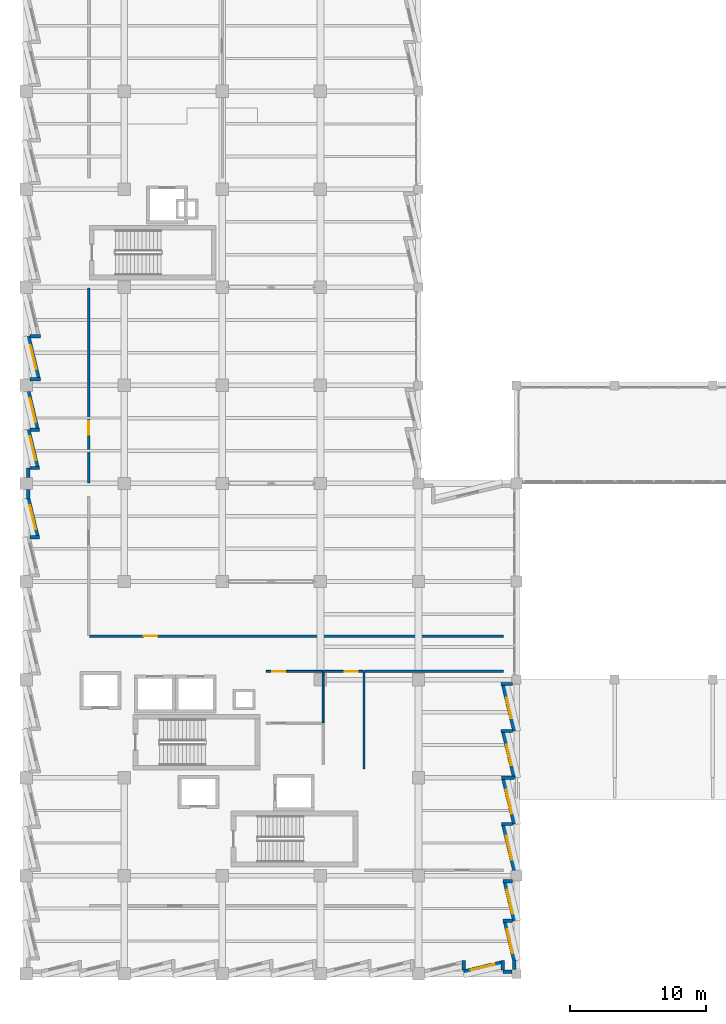
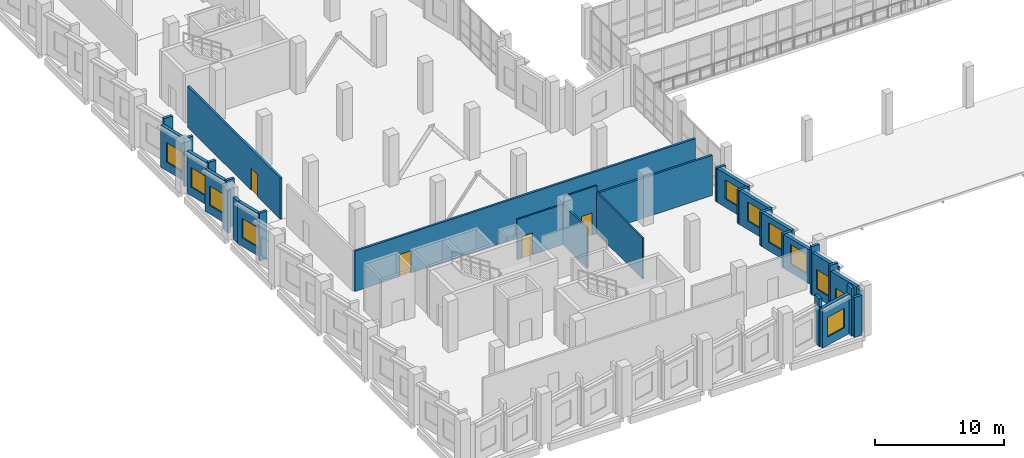
# One storey, part 93 of 127: 35 walls, 11 windows, 4 doors, 15 openings.
"""IFC4 building model written with IfcOpenShell, lengths in metres."""

import ifcopenshell
import ifcopenshell.guid

model = None  # the IFC model being written
_history = None  # IfcOwnerHistory: only IFC2X3 demands one
_inside = {}  # id of a spatial element -> (the spatial element, [elements in it])
_under = {}  # id of a project, library or spatial element -> (it, [spatial elements below it])
_declared = {}  # id of a project -> (the project, [libraries it declares])
_typed = {}  # id of a type object -> (the type object, [elements of that type])
_made_of = {}  # id of a material, layer set ... -> (it, [elements and type objects made of it])


def new_model(schema):
    """Start an empty IFC model of exactly this schema.

    Asked for "IFC4X3", IfcOpenShell would pick the latest addendum, in which some entities
    have other attributes; the version numbers below select the first issue.
    IFC2X3 requires an IfcOwnerHistory on every rooted entity: one is made here for all.
    """
    global model, _history
    if schema == "IFC4X3":
        model = ifcopenshell.file(schema_version=(4, 3, 0, 0))
    else:
        model = ifcopenshell.file(schema=schema)
    _inside.clear()
    _under.clear()
    _declared.clear()
    _typed.clear()
    _made_of.clear()
    _history = None
    if model.schema == "IFC2X3":
        org = make("IfcOrganization", Name="unknown")
        user = make(
            "IfcPersonAndOrganization",
            ThePerson=make("IfcPerson", FamilyName="unknown"),
            TheOrganization=org,
        )
        app = make(
            "IfcApplication",
            ApplicationDeveloper=org,
            Version="unknown",
            ApplicationFullName="unknown",
            ApplicationIdentifier="unknown",
        )
        _history = make(
            "IfcOwnerHistory",
            OwningUser=user,
            OwningApplication=app,
            ChangeAction="ADDED",
            CreationDate=0,
        )
    return model


def make(cls, **values):
    """One entity of the class cls with the attributes given. An attribute that is None is left unset."""
    return model.create_entity(
        cls, **{name: value for name, value in values.items() if value is not None}
    )


def rooted(cls, **values):
    """An entity with a GlobalId (a new one), such as an element, a storey or a relation."""
    return make(cls, GlobalId=ifcopenshell.guid.new(), OwnerHistory=_history, **values)


def si_unit(unit_type, name, prefix=None):
    """IfcSIUnit, for example si_unit("LENGTHUNIT", "METRE", prefix="MILLI")."""
    return make("IfcSIUnit", UnitType=unit_type, Prefix=prefix, Name=name)


def assignment(units):
    """IfcUnitAssignment: the units of a project."""
    return None if units is None else make("IfcUnitAssignment", Units=units)


def point(xyz):
    """IfcCartesianPoint."""
    return None if xyz is None else make("IfcCartesianPoint", Coordinates=xyz)


def direction(xyz):
    """IfcDirection."""
    return None if xyz is None else make("IfcDirection", DirectionRatios=xyz)


def frame(location, z_axis=None, x_axis=None):
    """IfcAxis2Placement3D, a coordinate frame: its origin and axes. An axis left out is left unset."""
    return make(
        "IfcAxis2Placement3D",
        Location=point(location),
        Axis=direction(z_axis),
        RefDirection=direction(x_axis),
    )


def frame_2d(location, x_axis=None):
    """IfcAxis2Placement2D, a coordinate frame in the plane: its origin and x axis."""
    return make(
        "IfcAxis2Placement2D", Location=point(location), RefDirection=direction(x_axis)
    )


def origin():
    """The frame at (0, 0, 0) with its axes left unset."""
    return frame((0.0, 0.0, 0.0))


def place(relative_to, where):
    """IfcLocalPlacement: puts the frame where relative to a parent placement (None: the world)."""
    return make(
        "IfcLocalPlacement", PlacementRelTo=relative_to, RelativePlacement=where
    )


def context(
    kind, dimensions, precision=None, world=None, true_north=None, identifier=None
):
    """IfcGeometricRepresentationContext, for example the 3D "Model" context."""
    return make(
        "IfcGeometricRepresentationContext",
        ContextIdentifier=identifier,
        ContextType=kind,
        CoordinateSpaceDimension=dimensions,
        Precision=precision,
        WorldCoordinateSystem=world,
        TrueNorth=true_north,
    )


def subcontext(parent, identifier, kind, view, scale=None):
    """IfcGeometricRepresentationSubContext, for example "Body" below "Model"."""
    return make(
        "IfcGeometricRepresentationSubContext",
        ContextIdentifier=identifier,
        ContextType=kind,
        ParentContext=parent,
        TargetScale=scale,
        TargetView=view,
    )


def project(units=None, contexts=None):
    """IfcProject with its units and contexts."""
    return rooted(
        "IfcProject",
        Name="project",
        RepresentationContexts=contexts,
        UnitsInContext=assignment(units),
    )


def spatial(cls, under=None, at=None, **own):
    """A site, building, storey or space (cls), placed at a placement, below another one or the project."""
    s = rooted(cls, ObjectPlacement=at, **own)
    if under is not None:
        _under.setdefault(under.id(), (under, []))[1].append(s)
    return s


def profile(cls, at=None, kind="AREA", **sizes):
    """A parametric profile (cls). Its sizes go by their IFC names, for example OverallWidth=200.0."""
    return make(cls, ProfileType=kind, Position=at, **sizes)


def rectangle(**sizes):
    """IfcRectangleProfileDef."""
    return profile("IfcRectangleProfileDef", **sizes)


def extrude(swept, where, along, depth):
    """IfcExtrudedAreaSolid: the profile swept, set in the frame where, extruded along a direction by depth."""
    return make(
        "IfcExtrudedAreaSolid",
        SweptArea=swept,
        Position=where,
        ExtrudedDirection=direction(along),
        Depth=depth,
    )


def shape(context_of_items, identifier, shape_type, items):
    """IfcShapeRepresentation: the items that make up one representation, for example the "Body"."""
    return make(
        "IfcShapeRepresentation",
        ContextOfItems=context_of_items,
        RepresentationIdentifier=identifier,
        RepresentationType=shape_type,
        Items=items,
    )


def material(Name=None, Category=None):
    """IfcMaterial."""
    return make("IfcMaterial", Name=Name, Category=Category)


def layer(
    of_material, thickness, ventilated=None, Name=None, Category=None, Priority=None
):
    """IfcMaterialLayer: one layer of a wall or slab, of a material (None: an air gap)."""
    return make(
        "IfcMaterialLayer",
        Material=of_material,
        LayerThickness=thickness,
        IsVentilated=ventilated,
        Name=Name,
        Category=Category,
        Priority=Priority,
    )


def layer_set(layers, Name=None):
    """IfcMaterialLayerSet."""
    return make("IfcMaterialLayerSet", MaterialLayers=layers, LayerSetName=Name)


def made_of(thing, what):
    """Note that an element or type object is made of a material, layer set ...; save() writes the relation."""
    if what is not None:
        _made_of.setdefault(what.id(), (what, []))[1].append(thing)
    return thing


def type_object(cls, material=None, **own):
    """A type object (cls), such as IfcWallType, which elements share."""
    return made_of(rooted(cls, **own), material)


def element(
    cls,
    number,
    at=None,
    inside=None,
    cuts=None,
    type_object=None,
    material=None,
    context=None,
    identifier="Body",
    shape_type=None,
    held_by="IfcProductDefinitionShape",
    body=None,
    shapes=None,
    **own,
):
    """One element of the class cls, such as IfcWall. Its Tag is "e" and its number.

    at: its placement. inside: the storey or other place that contains it. cuts: it is an
    opening in that element (IfcRelVoidsElement). A single representation is given by context,
    identifier, shape_type and body (its items); several are given by shapes. held_by: the class
    of the entity that holds the representations. save() writes the other relations.
    """
    e = rooted(cls, Tag="e%d" % number, ObjectPlacement=at, **own)
    if body is not None:
        shapes = [shape(context, identifier, shape_type, body)]
    if shapes is not None:
        e.Representation = make(held_by, Representations=shapes)
    if inside is not None:
        _inside.setdefault(inside.id(), (inside, []))[1].append(e)
    if cuts is not None:
        rooted(
            "IfcRelVoidsElement", RelatingBuildingElement=cuts, RelatedOpeningElement=e
        )
    if type_object is not None:
        _typed.setdefault(type_object.id(), (type_object, []))[1].append(e)
    return made_of(e, material)


def fill(opening, filler):
    """IfcRelFillsElement: the door or window that sits in an opening."""
    return rooted(
        "IfcRelFillsElement",
        RelatingOpeningElement=opening,
        RelatedBuildingElement=filler,
    )


def aggregate(whole, parts):
    """IfcRelAggregates: a whole, such as a stair, and the parts it consists of."""
    return rooted("IfcRelAggregates", RelatingObject=whole, RelatedObjects=parts)


def save(model, path):
    """Write the relations noted so far, then the file.

    IfcRelAggregates (storeys below a building ...), IfcRelContainedInSpatialStructure (elements
    in a storey), IfcRelDefinesByType, IfcRelAssociatesMaterial and IfcRelDeclares: one each for
    every whole, place, type object, material and project.
    """
    for whole, parts in _under.values():
        aggregate(whole, parts)
    for where, things in _inside.values():
        rooted(
            "IfcRelContainedInSpatialStructure",
            RelatedElements=things,
            RelatingStructure=where,
        )
    for kind, things in _typed.values():
        rooted("IfcRelDefinesByType", RelatedObjects=things, RelatingType=kind)
    for what, things in _made_of.values():
        rooted("IfcRelAssociatesMaterial", RelatedObjects=things, RelatingMaterial=what)
    for by, libraries in _declared.values():
        rooted("IfcRelDeclares", RelatingContext=by, RelatedDefinitions=libraries)
    model.write(path)


model = new_model("IFC4")

# Units and contexts
model_context = context("Model", 3, precision=1e-05, world=origin(), true_north=direction((0.0, 1.0)))
body_context = subcontext(model_context, "Body", "Model", "MODEL_VIEW")
ifc_project = project(units=[si_unit("LENGTHUNIT", "METRE"), si_unit("AREAUNIT", "SQUARE_METRE"), si_unit("VOLUMEUNIT", "CUBIC_METRE"), si_unit("PLANEANGLEUNIT", "RADIAN"), si_unit("MASSUNIT", "GRAM", prefix="KILO")], contexts=[model_context])

# Site, building, storey
site_placement = place(None, origin())
site = spatial("IfcSite", under=ifc_project, at=site_placement, CompositionType="ELEMENT")
building_placement = place(site_placement, origin())
building = spatial("IfcBuilding", under=site, at=building_placement, Name="Kalmorath City Hall", CompositionType="ELEMENT")
storey_placement = place(building_placement, frame((0.0, 0.0, 5.39990234375)))
storey = spatial("IfcBuildingStorey", under=building, at=storey_placement, Name="L01", CompositionType="ELEMENT", Elevation=5.39990234375)

# Wall, opening, door
ifc_material_1 = material(Name="Fire-rated acoustic gypsum partition")
ifc_layer_1 = layer(ifc_material_1, 0.179931640625)
ifc_layer_set_1 = layer_set([ifc_layer_1], Name="Fire-rated acoustic gypsum partition")
wall_type_1 = type_object("IfcWallType", Name="One-hour corridor fire partition 180", PredefinedType="PARTITIONING", material=ifc_layer_set_1)
wall_1_placement = place(storey_placement, frame((4.60009765625, 36.0400390625, 0.0), z_axis=(0.0, 0.0, 1.0), x_axis=(0.0, 1.0, 0.0)))
wall_1 = element("IfcWall", 1, at=wall_1_placement, inside=storey, type_object=wall_type_1, Name="L01 interior partition PW2 #68", PredefinedType="PARTITIONING", context=body_context, shape_type="SweptSolid", body=[
    extrude(rectangle(XDim=14.320068359375, YDim=0.179931640625, at=frame_2d((7.16015625, 0.0))), origin(), (0.0, 0.0, 1.0), 3.88916015625),
])
opening_1_placement = place(wall_1_placement, frame((3.5400390625, 0.0, 0.0)))
opening_1 = element("IfcOpeningElement", 2, at=opening_1_placement, cuts=wall_1, Name="Opening D-L01-173", PredefinedType="OPENING", context=body_context, shape_type="SweptSolid", body=[
    extrude(rectangle(XDim=1.0, YDim=2.10009765625, at=frame_2d((0.5, 1.050048828125))), frame((0.0, 0.099853515625, 0.0), z_axis=(0.0, -1.0, 0.0), x_axis=(1.0, 0.0, 0.0)), (0.0, 0.0, 1.0), 0.199951171875),
])
ifc_material_2 = material(Name="Hardwood fire door", Category="wood")
door_type_1 = type_object("IfcDoorType", Name="Corridor 60-min fire door 1000x2100", OperationType="NOTDEFINED", PredefinedType="DOOR", material=ifc_material_2)
door_1_placement = place(opening_1_placement, origin())
door_1 = element("IfcDoor", 3, at=door_1_placement, inside=storey, type_object=door_type_1, Name="L01 door D-L01-173", OperationType="SINGLE_SWING_LEFT", OverallHeight=2.10009765625, OverallWidth=1.0, PredefinedType="DOOR", context=body_context, shape_type="SweptSolid", body=[
    extrude(rectangle(XDim=1.0, YDim=2.10009765625, at=frame_2d((0.5, 1.050048828125))), frame((0.0, 0.02490234375, 0.0), z_axis=(0.0, -1.0, 0.0), x_axis=(1.0, 0.0, 0.0)), (0.0, 0.0, 1.0), 0.050048828125),
])
fill(opening_1, door_1)

# Wall
wall_2_placement = place(storey_placement, frame((24.840087890625, 22.199951171875, 0.0), z_axis=(0.0, 0.0, 1.0), x_axis=(1.0, 0.0, 0.0)))
element("IfcWall", 4, at=wall_2_placement, inside=storey, type_object=wall_type_1, Name="L01 interior partition PW2 #71", PredefinedType="PARTITIONING", context=body_context, shape_type="SweptSolid", body=[
    extrude(rectangle(XDim=10.219970703125, YDim=0.179931640625, at=frame_2d((5.10986328125, 0.0))), origin(), (0.0, 0.0, 1.0), 3.801025390625),
])

# Wall, opening, door
wall_3_placement = place(storey_placement, frame((4.639892578125, 24.800048828125, 0.0), z_axis=(0.0, 0.0, 1.0), x_axis=(1.0, 0.0, 0.0)))
wall_3 = element("IfcWall", 5, at=wall_3_placement, inside=storey, type_object=wall_type_1, Name="L01 interior partition PW2 #72", PredefinedType="PARTITIONING", context=body_context, shape_type="SweptSolid", body=[
    extrude(rectangle(XDim=30.420166015625, YDim=0.179931640625, at=frame_2d((15.2099609375, 0.0))), origin(), (0.0, 0.0, 1.0), 3.801025390625),
])
opening_2_placement = place(wall_3_placement, frame((3.992431640625, 0.0, 0.0)))
opening_2 = element("IfcOpeningElement", 6, at=opening_2_placement, cuts=wall_3, Name="Opening D-L01-171", PredefinedType="OPENING", context=body_context, shape_type="SweptSolid", body=[
    extrude(rectangle(XDim=1.0, YDim=2.10009765625, at=frame_2d((0.5, 1.050048828125))), frame((0.0, 0.099853515625, 0.0), z_axis=(0.0, -1.0, 0.0), x_axis=(1.0, 0.0, 0.0)), (0.0, 0.0, 1.0), 0.199951171875),
])
door_2_placement = place(opening_2_placement, origin())
door_2 = element("IfcDoor", 7, at=door_2_placement, inside=storey, type_object=door_type_1, Name="L01 door D-L01-171", OperationType="SINGLE_SWING_LEFT", OverallHeight=2.10009765625, OverallWidth=1.0, PredefinedType="DOOR", context=body_context, shape_type="SweptSolid", body=[
    extrude(rectangle(XDim=1.0, YDim=2.10009765625, at=frame_2d((0.5, 1.050048828125))), frame((0.0, 0.02490234375, 0.0), z_axis=(0.0, -1.0, 0.0), x_axis=(1.0, 0.0, 0.0)), (0.0, 0.0, 1.0), 0.050048828125),
])
fill(opening_2, door_2)

# Walls
ifc_material_3 = material(Name="Precast concrete C40/50", Category="concrete")
ifc_layer_2 = layer(ifc_material_3, 0.239990234375)
ifc_layer_set_2 = layer_set([ifc_layer_2], Name="Precast concrete C40/50")
wall_type_2 = type_object("IfcWallType", Name="Precast sawtooth cheek wall 240", PredefinedType="SOLIDWALL", material=ifc_layer_set_2)
wall_4_placement = place(storey_placement, frame((0.9794921875, 32.06005859375, 0.0), z_axis=(0.0, 0.0, 1.0), x_axis=(-1.0, 0.0, 0.0)))
element("IfcWall", 8, at=wall_4_placement, inside=storey, type_object=wall_type_2, Name="L01 sawtooth return cheek #184", PredefinedType="SOLIDWALL", context=body_context, shape_type="SweptSolid", body=[
    extrude(rectangle(XDim=0.6875, YDim=0.239990234375, at=frame_2d((0.34375, 0.0))), origin(), (0.0, 0.0, 1.0), 4.52001953125),
])
wall_5_placement = place(storey_placement, frame((0.9794921875, 37.131103515625, 0.0), z_axis=(0.0, 0.0, 1.0), x_axis=(-1.0, 0.0, 0.0)))
element("IfcWall", 9, at=wall_5_placement, inside=storey, type_object=wall_type_2, Name="L01 sawtooth return cheek #187", PredefinedType="SOLIDWALL", context=body_context, shape_type="SweptSolid", body=[
    extrude(rectangle(XDim=0.697509765625, YDim=0.239990234375, at=frame_2d((0.3486328125, 0.0))), origin(), (0.0, 0.0, 1.0), 4.52001953125),
])
wall_6_placement = place(storey_placement, frame((0.9794921875, 39.93994140625, 0.0), z_axis=(0.0, 0.0, 1.0), x_axis=(-1.0, 0.0, 0.0)))
element("IfcWall", 10, at=wall_6_placement, inside=storey, type_object=wall_type_2, Name="L01 sawtooth return cheek #189", PredefinedType="SOLIDWALL", context=body_context, shape_type="SweptSolid", body=[
    extrude(rectangle(XDim=0.6875, YDim=0.239990234375, at=frame_2d((0.34375, 0.0))), origin(), (0.0, 0.0, 1.0), 4.52001953125),
])
for number, where, z_axis, x_axis, name in (
    (11, (1.06103515625, 43.65087890625, 0.0), (0.0, 0.0, 1.0), (-1.0, 0.0, 0.0), "L01 sawtooth return cheek #191"),
    (12, (1.06103515625, 46.800048828125, 0.0), (0.0, 0.0, 1.0), (-1.0, 0.0, 0.0), "L01 sawtooth return cheek #193"),
):
    element("IfcWall", number, at=place(storey_placement, frame(where, z_axis=z_axis, x_axis=x_axis)), inside=storey, type_object=wall_type_2, Name=name, PredefinedType="SOLIDWALL", context=body_context, shape_type="SweptSolid", body=[
        extrude(rectangle(XDim=0.76904296875, YDim=0.239990234375, at=frame_2d((0.384521484375, 0.0))), origin(), (0.0, 0.0, 1.0), 4.52001953125),
    ])
for number, where, z_axis, x_axis, name in (
    (13, (34.869873046875, 21.27392578125, 0.0), (0.0, 0.0, 1.0), (1.0, 0.0, 0.0), "L01 sawtooth return cheek #287"),
    (14, (34.869873046875, 17.8369140625, 0.0), (0.0, 0.0, 1.0), (1.0, 0.0, 0.0), "L01 sawtooth return cheek #289"),
):
    element("IfcWall", number, at=place(storey_placement, frame(where, z_axis=z_axis, x_axis=x_axis)), inside=storey, type_object=wall_type_2, Name=name, PredefinedType="SOLIDWALL", context=body_context, shape_type="SweptSolid", body=[
        extrude(rectangle(XDim=0.838134765625, YDim=0.239990234375, at=frame_2d((0.4189453125, 0.0))), origin(), (0.0, 0.0, 1.0), 3.201171875),
    ])
wall_7_placement = place(storey_placement, frame((34.87890625, 14.39990234375, 0.0), z_axis=(0.0, 0.0, 1.0), x_axis=(1.0, 0.0, 0.0)))
element("IfcWall", 15, at=wall_7_placement, inside=storey, type_object=wall_type_2, Name="L01 sawtooth return cheek #291", PredefinedType="SOLIDWALL", context=body_context, shape_type="SweptSolid", body=[
    extrude(rectangle(XDim=0.97119140625, YDim=0.239990234375, at=frame_2d((0.485595703125, 0.0))), origin(), (0.0, 0.0, 1.0), 3.201171875),
])
wall_8_placement = place(storey_placement, frame((34.87890625, 11.00048828125, 0.0), z_axis=(0.0, 0.0, 1.0), x_axis=(1.0, 0.0, 0.0)))
element("IfcWall", 16, at=wall_8_placement, inside=storey, type_object=wall_type_2, Name="L01 sawtooth return cheek #293", PredefinedType="SOLIDWALL", context=body_context, shape_type="SweptSolid", body=[
    extrude(rectangle(XDim=0.8291015625, YDim=0.239990234375, at=frame_2d((0.41455078125, 0.0))), origin(), (0.0, 0.0, 1.0), 3.201171875),
])
for number, where, z_axis, x_axis, name in (
    (17, (34.99951171875, 6.799072265625, 0.0), (0.0, 0.0, 1.0), (1.0, 0.0, 0.0), "L01 sawtooth return cheek #296"),
    (18, (34.99951171875, 3.902587890625, 0.0), (0.0, 0.0, 1.0), (1.0, 0.0, 0.0), "L01 sawtooth return cheek #298"),
):
    element("IfcWall", number, at=place(storey_placement, frame(where, z_axis=z_axis, x_axis=x_axis)), inside=storey, type_object=wall_type_2, Name=name, PredefinedType="SOLIDWALL", context=body_context, shape_type="SweptSolid", body=[
        extrude(rectangle(XDim=0.70849609375, YDim=0.239990234375, at=frame_2d((0.354248046875, 0.0))), origin(), (0.0, 0.0, 1.0), 4.52001953125),
    ])
wall_9_placement = place(storey_placement, frame((34.993896484375, 0.994384765625, 0.0), z_axis=(0.0, 0.0, 1.0), x_axis=(0.0, -1.0, 0.0)))
element("IfcWall", 19, at=wall_9_placement, inside=storey, type_object=wall_type_2, Name="L01 sawtooth return cheek #301", PredefinedType="SOLIDWALL", context=body_context, shape_type="SweptSolid", body=[
    extrude(rectangle(XDim=0.71240234375, YDim=0.239990234375, at=frame_2d((0.356201171875, 0.0))), origin(), (0.0, 0.0, 1.0), 4.52001953125),
])
wall_10_placement = place(storey_placement, frame((32.12255859375, 0.994384765625, 0.0), z_axis=(0.0, 0.0, 1.0), x_axis=(0.0, -1.0, 0.0)))
element("IfcWall", 20, at=wall_10_placement, inside=storey, type_object=wall_type_2, Name="L01 sawtooth return cheek #303", PredefinedType="SOLIDWALL", context=body_context, shape_type="SweptSolid", body=[
    extrude(rectangle(XDim=0.702392578125, YDim=0.239990234375, at=frame_2d((0.35107421875, 0.0))), origin(), (0.0, 0.0, 1.0), 4.52001953125),
])

# Wall, opening, window
ifc_material_4 = material(Name="Precast concrete C40/50", Category="concrete")
ifc_layer_3 = layer(ifc_material_4, 0.280029296875)
ifc_layer_set_3 = layer_set([ifc_layer_3], Name="Precast concrete C40/50")
wall_type_3 = type_object("IfcWallType", Name="Precast sawtooth facade wall 280", PredefinedType="SOLIDWALL", material=ifc_layer_set_3)
wall_11_placement = place(storey_placement, frame((0.812255859375, 32.15234375, 0.0), z_axis=(0.0, 0.0, 1.0), x_axis=(-0.233498544812, 0.972357151242, 0.0)))
wall_11 = element("IfcWall", 21, at=wall_11_placement, inside=storey, type_object=wall_type_3, Name="L01 sawtooth precast frame #183", PredefinedType="SOLIDWALL", context=body_context, shape_type="SweptSolid", body=[
    extrude(rectangle(XDim=2.793701171875, YDim=0.280029296875, at=frame_2d((1.39697265625, 0.0))), origin(), (0.0, 0.0, 1.0), 3.97607421875),
])
opening_3_placement = place(wall_11_placement, frame((0.496826171875, 0.0, 0.800048828125)))
opening_3 = element("IfcOpeningElement", 22, at=opening_3_placement, cuts=wall_11, Name="Opening WN4", PredefinedType="OPENING", context=body_context, shape_type="SweptSolid", body=[
    extrude(rectangle(XDim=1.800048828125, YDim=1.85009765625, at=frame_2d((0.89990234375, 0.925048828125))), frame((0.0, 0.14990234375, 0.0), z_axis=(0.0, -1.0, 0.0), x_axis=(1.0, 0.0, 0.0)), (0.0, 0.0, 1.0), 0.300048828125),
])
ifc_material_5 = material(Name="Aluminium and laminated glass", Category="aluminium")
window_type_1 = type_object("IfcWindowType", Name="Sawtooth executive window 1800x1850", PartitioningType="SINGLE_PANEL", PredefinedType="WINDOW", material=ifc_material_5)
window_1_placement = place(opening_3_placement, origin())
window_1 = element("IfcWindow", 23, at=window_1_placement, inside=storey, type_object=window_type_1, Name="L01 window WN4-85", OverallHeight=1.85009765625, OverallWidth=1.800048828125, PartitioningType="SINGLE_PANEL", PredefinedType="WINDOW", context=body_context, shape_type="SweptSolid", body=[
    extrude(rectangle(XDim=1.800048828125, YDim=1.85009765625, at=frame_2d((0.89990234375, 0.925048828125))), frame((0.0, 0.030029296875, 0.0), z_axis=(0.0, -1.0, 0.0), x_axis=(1.0, 0.0, 0.0)), (0.0, 0.0, 1.0), 0.06005859375),
])
fill(opening_3, window_1)

wall_12_placement = place(storey_placement, frame((0.812255859375, 37.223388671875, 0.0), z_axis=(0.0, 0.0, 1.0), x_axis=(-0.233498544812, 0.972357151242, 0.0)))
wall_12 = element("IfcWall", 24, at=wall_12_placement, inside=storey, type_object=wall_type_3, Name="L01 sawtooth precast frame #186", PredefinedType="SOLIDWALL", context=body_context, shape_type="SweptSolid", body=[
    extrude(rectangle(XDim=2.793701171875, YDim=0.280029296875, at=frame_2d((1.39697265625, 0.0))), origin(), (0.0, 0.0, 1.0), 3.97607421875),
])
opening_4_placement = place(wall_12_placement, frame((0.496826171875, 0.0, 0.800048828125)))
opening_4 = element("IfcOpeningElement", 25, at=opening_4_placement, cuts=wall_12, Name="Opening WN4", PredefinedType="OPENING", context=body_context, shape_type="SweptSolid", body=[
    extrude(rectangle(XDim=1.800048828125, YDim=1.85009765625, at=frame_2d((0.89990234375, 0.925048828125))), frame((0.0, 0.14990234375, 0.0), z_axis=(0.0, -1.0, 0.0), x_axis=(1.0, 0.0, 0.0)), (0.0, 0.0, 1.0), 0.300048828125),
])
window_2_placement = place(opening_4_placement, origin())
window_2 = element("IfcWindow", 26, at=window_2_placement, inside=storey, type_object=window_type_1, Name="L01 window WN4-86", OverallHeight=1.85009765625, OverallWidth=1.800048828125, PartitioningType="SINGLE_PANEL", PredefinedType="WINDOW", context=body_context, shape_type="SweptSolid", body=[
    extrude(rectangle(XDim=1.800048828125, YDim=1.85009765625, at=frame_2d((0.89990234375, 0.925048828125))), frame((0.0, 0.030029296875, 0.0), z_axis=(0.0, -1.0, 0.0), x_axis=(1.0, 0.0, 0.0)), (0.0, 0.0, 1.0), 0.06005859375),
])
fill(opening_4, window_2)

wall_13_placement = place(storey_placement, frame((0.812255859375, 40.032470703125, 0.0), z_axis=(0.0, 0.0, 1.0), x_axis=(-0.233498544812, 0.972357151242, 0.0)))
wall_13 = element("IfcWall", 27, at=wall_13_placement, inside=storey, type_object=wall_type_3, Name="L01 sawtooth precast frame #188", PredefinedType="SOLIDWALL", context=body_context, shape_type="SweptSolid", body=[
    extrude(rectangle(XDim=2.793701171875, YDim=0.280029296875, at=frame_2d((1.39697265625, 0.0))), origin(), (0.0, 0.0, 1.0), 3.97607421875),
])
opening_5_placement = place(wall_13_placement, frame((0.496826171875, 0.0, 0.800048828125)))
opening_5 = element("IfcOpeningElement", 28, at=opening_5_placement, cuts=wall_13, Name="Opening WN4", PredefinedType="OPENING", context=body_context, shape_type="SweptSolid", body=[
    extrude(rectangle(XDim=1.800048828125, YDim=1.85009765625, at=frame_2d((0.89990234375, 0.925048828125))), frame((0.0, 0.14990234375, 0.0), z_axis=(0.0, -1.0, 0.0), x_axis=(1.0, 0.0, 0.0)), (0.0, 0.0, 1.0), 0.300048828125),
])
window_3_placement = place(opening_5_placement, origin())
window_3 = element("IfcWindow", 29, at=window_3_placement, inside=storey, type_object=window_type_1, Name="L01 window WN4-87", OverallHeight=1.85009765625, OverallWidth=1.800048828125, PartitioningType="SINGLE_PANEL", PredefinedType="WINDOW", context=body_context, shape_type="SweptSolid", body=[
    extrude(rectangle(XDim=1.800048828125, YDim=1.85009765625, at=frame_2d((0.89990234375, 0.925048828125))), frame((0.0, 0.030029296875, 0.0), z_axis=(0.0, -1.0, 0.0), x_axis=(1.0, 0.0, 0.0)), (0.0, 0.0, 1.0), 0.06005859375),
])
fill(opening_5, window_3)

wall_14_placement = place(storey_placement, frame((0.893798828125, 43.743408203125, 0.0), z_axis=(0.0, 0.0, 1.0), x_axis=(-0.233461073712, 0.972366148661, 0.0)))
wall_14 = element("IfcWall", 30, at=wall_14_placement, inside=storey, type_object=wall_type_3, Name="L01 sawtooth precast frame #190", PredefinedType="SOLIDWALL", context=body_context, shape_type="SweptSolid", body=[
    extrude(rectangle(XDim=3.1435546875, YDim=0.280029296875, at=frame_2d((1.57177734375, 0.0))), origin(), (0.0, 0.0, 1.0), 3.97607421875),
])
opening_6_placement = place(wall_14_placement, frame((0.671630859375, 0.0, 0.800048828125)))
opening_6 = element("IfcOpeningElement", 31, at=opening_6_placement, cuts=wall_14, Name="Opening WN4", PredefinedType="OPENING", context=body_context, shape_type="SweptSolid", body=[
    extrude(rectangle(XDim=1.800048828125, YDim=1.85009765625, at=frame_2d((0.89990234375, 0.925048828125))), frame((0.0, 0.14990234375, 0.0), z_axis=(0.0, -1.0, 0.0), x_axis=(1.0, 0.0, 0.0)), (0.0, 0.0, 1.0), 0.300048828125),
])
window_4_placement = place(opening_6_placement, origin())
window_4 = element("IfcWindow", 32, at=window_4_placement, inside=storey, type_object=window_type_1, Name="L01 window WN4-88", OverallHeight=1.85009765625, OverallWidth=1.800048828125, PartitioningType="SINGLE_PANEL", PredefinedType="WINDOW", context=body_context, shape_type="SweptSolid", body=[
    extrude(rectangle(XDim=1.800048828125, YDim=1.85009765625, at=frame_2d((0.89990234375, 0.925048828125))), frame((0.0, 0.030029296875, 0.0), z_axis=(0.0, -1.0, 0.0), x_axis=(1.0, 0.0, 0.0)), (0.0, 0.0, 1.0), 0.06005859375),
])
fill(opening_6, window_4)

wall_15_placement = place(storey_placement, frame((35.037109375, 21.181640625, 0.0), z_axis=(0.0, 0.0, 1.0), x_axis=(0.233440062358, -0.972371193159, 0.0)))
wall_15 = element("IfcWall", 33, at=wall_15_placement, inside=storey, type_object=wall_type_3, Name="L01 sawtooth precast frame #286", PredefinedType="SOLIDWALL", context=body_context, shape_type="SweptSolid", body=[
    extrude(rectangle(XDim=3.439697265625, YDim=0.280029296875, at=frame_2d((1.7197265625, 0.0))), origin(), (0.0, 0.0, 1.0), 3.201171875),
])
opening_7_placement = place(wall_15_placement, frame((0.94482421875, 0.0, 0.800048828125)))
opening_7 = element("IfcOpeningElement", 34, at=opening_7_placement, cuts=wall_15, Name="Opening WN5", PredefinedType="OPENING", context=body_context, shape_type="SweptSolid", body=[
    extrude(rectangle(XDim=1.550048828125, YDim=1.800048828125, at=frame_2d((0.77490234375, 0.89990234375))), frame((0.0, 0.14990234375, 0.0), z_axis=(0.0, -1.0, 0.0), x_axis=(1.0, 0.0, 0.0)), (0.0, 0.0, 1.0), 0.300048828125),
])
ifc_material_6 = material(Name="Aluminium and laminated glass", Category="aluminium")
window_type_2 = type_object("IfcWindowType", Name="Sawtooth corner bay window 1550x1800", PartitioningType="SINGLE_PANEL", PredefinedType="WINDOW", material=ifc_material_6)
window_5_placement = place(opening_7_placement, origin())
window_5 = element("IfcWindow", 35, at=window_5_placement, inside=storey, type_object=window_type_2, Name="L01 window WN5-137", OverallHeight=1.800048828125, OverallWidth=1.550048828125, PartitioningType="SINGLE_PANEL", PredefinedType="WINDOW", context=body_context, shape_type="SweptSolid", body=[
    extrude(rectangle(XDim=1.550048828125, YDim=1.800048828125, at=frame_2d((0.77490234375, 0.89990234375))), frame((0.0, 0.030029296875, 0.0), z_axis=(0.0, -1.0, 0.0), x_axis=(1.0, 0.0, 0.0)), (0.0, 0.0, 1.0), 0.06005859375),
])
fill(opening_7, window_5)

wall_16_placement = place(storey_placement, frame((35.037109375, 17.74462890625, 0.0), z_axis=(0.0, 0.0, 1.0), x_axis=(0.233440062358, -0.972371193159, 0.0)))
wall_16 = element("IfcWall", 36, at=wall_16_placement, inside=storey, type_object=wall_type_3, Name="L01 sawtooth precast frame #288", PredefinedType="SOLIDWALL", context=body_context, shape_type="SweptSolid", body=[
    extrude(rectangle(XDim=3.439697265625, YDim=0.280029296875, at=frame_2d((1.7197265625, 0.0))), origin(), (0.0, 0.0, 1.0), 3.201171875),
])
opening_8_placement = place(wall_16_placement, frame((0.94482421875, 0.0, 0.800048828125)))
opening_8 = element("IfcOpeningElement", 37, at=opening_8_placement, cuts=wall_16, Name="Opening WN5", PredefinedType="OPENING", context=body_context, shape_type="SweptSolid", body=[
    extrude(rectangle(XDim=1.550048828125, YDim=1.800048828125, at=frame_2d((0.77490234375, 0.89990234375))), frame((0.0, 0.14990234375, 0.0), z_axis=(0.0, -1.0, 0.0), x_axis=(1.0, 0.0, 0.0)), (0.0, 0.0, 1.0), 0.300048828125),
])
window_6_placement = place(opening_8_placement, origin())
window_6 = element("IfcWindow", 38, at=window_6_placement, inside=storey, type_object=window_type_2, Name="L01 window WN5-138", OverallHeight=1.800048828125, OverallWidth=1.550048828125, PartitioningType="SINGLE_PANEL", PredefinedType="WINDOW", context=body_context, shape_type="SweptSolid", body=[
    extrude(rectangle(XDim=1.550048828125, YDim=1.800048828125, at=frame_2d((0.77490234375, 0.89990234375))), frame((0.0, 0.030029296875, 0.0), z_axis=(0.0, -1.0, 0.0), x_axis=(1.0, 0.0, 0.0)), (0.0, 0.0, 1.0), 0.06005859375),
])
fill(opening_8, window_6)

wall_17_placement = place(storey_placement, frame((35.046142578125, 14.3076171875, 0.0), z_axis=(0.0, 0.0, 1.0), x_axis=(0.233438110442, -0.97237166176, 0.0)))
wall_17 = element("IfcWall", 39, at=wall_17_placement, inside=storey, type_object=wall_type_3, Name="L01 sawtooth precast frame #290", PredefinedType="SOLIDWALL", context=body_context, shape_type="SweptSolid", body=[
    extrude(rectangle(XDim=3.401123046875, YDim=0.280029296875, at=frame_2d((1.70068359375, 0.0))), origin(), (0.0, 0.0, 1.0), 3.201171875),
])
opening_9_placement = place(wall_17_placement, frame((0.800537109375, 0.0, 0.800048828125)))
opening_9 = element("IfcOpeningElement", 40, at=opening_9_placement, cuts=wall_17, Name="Opening WN4", PredefinedType="OPENING", context=body_context, shape_type="SweptSolid", body=[
    extrude(rectangle(XDim=1.800048828125, YDim=1.85009765625, at=frame_2d((0.89990234375, 0.925048828125))), frame((0.0, 0.14990234375, 0.0), z_axis=(0.0, -1.0, 0.0), x_axis=(1.0, 0.0, 0.0)), (0.0, 0.0, 1.0), 0.300048828125),
])
window_7_placement = place(opening_9_placement, origin())
window_7 = element("IfcWindow", 41, at=window_7_placement, inside=storey, type_object=window_type_1, Name="L01 window WN4-139", OverallHeight=1.85009765625, OverallWidth=1.800048828125, PartitioningType="SINGLE_PANEL", PredefinedType="WINDOW", context=body_context, shape_type="SweptSolid", body=[
    extrude(rectangle(XDim=1.800048828125, YDim=1.85009765625, at=frame_2d((0.89990234375, 0.925048828125))), frame((0.0, 0.030029296875, 0.0), z_axis=(0.0, -1.0, 0.0), x_axis=(1.0, 0.0, 0.0)), (0.0, 0.0, 1.0), 0.06005859375),
])
fill(opening_9, window_7)

wall_18_placement = place(storey_placement, frame((35.046142578125, 10.908203125, 0.0), z_axis=(0.0, 0.0, 1.0), x_axis=(0.233438110442, -0.97237166176, 0.0)))
wall_18 = element("IfcWall", 42, at=wall_18_placement, inside=storey, type_object=wall_type_3, Name="L01 sawtooth precast frame #292", PredefinedType="SOLIDWALL", context=body_context, shape_type="SweptSolid", body=[
    extrude(rectangle(XDim=3.401123046875, YDim=0.280029296875, at=frame_2d((1.70068359375, 0.0))), origin(), (0.0, 0.0, 1.0), 3.201171875),
])
opening_10_placement = place(wall_18_placement, frame((0.800537109375, 0.0, 0.800048828125)))
opening_10 = element("IfcOpeningElement", 43, at=opening_10_placement, cuts=wall_18, Name="Opening WN4", PredefinedType="OPENING", context=body_context, shape_type="SweptSolid", body=[
    extrude(rectangle(XDim=1.800048828125, YDim=1.85009765625, at=frame_2d((0.89990234375, 0.925048828125))), frame((0.0, 0.14990234375, 0.0), z_axis=(0.0, -1.0, 0.0), x_axis=(1.0, 0.0, 0.0)), (0.0, 0.0, 1.0), 0.300048828125),
])
window_8_placement = place(opening_10_placement, origin())
window_8 = element("IfcWindow", 44, at=window_8_placement, inside=storey, type_object=window_type_1, Name="L01 window WN4-140", OverallHeight=1.85009765625, OverallWidth=1.800048828125, PartitioningType="SINGLE_PANEL", PredefinedType="WINDOW", context=body_context, shape_type="SweptSolid", body=[
    extrude(rectangle(XDim=1.800048828125, YDim=1.85009765625, at=frame_2d((0.89990234375, 0.925048828125))), frame((0.0, 0.030029296875, 0.0), z_axis=(0.0, -1.0, 0.0), x_axis=(1.0, 0.0, 0.0)), (0.0, 0.0, 1.0), 0.06005859375),
])
fill(opening_10, window_8)

wall_19_placement = place(storey_placement, frame((35.166748046875, 6.70654296875, 0.0), z_axis=(0.0, 0.0, 1.0), x_axis=(0.233501033921, -0.972356553512, 0.0)))
wall_19 = element("IfcWall", 45, at=wall_19_placement, inside=storey, type_object=wall_type_3, Name="L01 sawtooth precast frame #295", PredefinedType="SOLIDWALL", context=body_context, shape_type="SweptSolid", body=[
    extrude(rectangle(XDim=2.8837890625, YDim=0.280029296875, at=frame_2d((1.44189453125, 0.0))), origin(), (0.0, 0.0, 1.0), 3.97607421875),
])
opening_11_placement = place(wall_19_placement, frame((0.5419921875, 0.0, 0.800048828125)))
opening_11 = element("IfcOpeningElement", 46, at=opening_11_placement, cuts=wall_19, Name="Opening WN4", PredefinedType="OPENING", context=body_context, shape_type="SweptSolid", body=[
    extrude(rectangle(XDim=1.800048828125, YDim=1.85009765625, at=frame_2d((0.89990234375, 0.925048828125))), frame((0.0, 0.14990234375, 0.0), z_axis=(0.0, -1.0, 0.0), x_axis=(1.0, 0.0, 0.0)), (0.0, 0.0, 1.0), 0.300048828125),
])
window_9_placement = place(opening_11_placement, origin())
window_9 = element("IfcWindow", 47, at=window_9_placement, inside=storey, type_object=window_type_1, Name="L01 window WN4-141", OverallHeight=1.85009765625, OverallWidth=1.800048828125, PartitioningType="SINGLE_PANEL", PredefinedType="WINDOW", context=body_context, shape_type="SweptSolid", body=[
    extrude(rectangle(XDim=1.800048828125, YDim=1.85009765625, at=frame_2d((0.89990234375, 0.925048828125))), frame((0.0, 0.030029296875, 0.0), z_axis=(0.0, -1.0, 0.0), x_axis=(1.0, 0.0, 0.0)), (0.0, 0.0, 1.0), 0.06005859375),
])
fill(opening_11, window_9)

wall_20_placement = place(storey_placement, frame((35.166748046875, 3.81005859375, 0.0), z_axis=(0.0, 0.0, 1.0), x_axis=(0.233501033921, -0.972356553512, 0.0)))
wall_20 = element("IfcWall", 48, at=wall_20_placement, inside=storey, type_object=wall_type_3, Name="L01 sawtooth precast frame #297", PredefinedType="SOLIDWALL", context=body_context, shape_type="SweptSolid", body=[
    extrude(rectangle(XDim=2.8837890625, YDim=0.280029296875, at=frame_2d((1.44189453125, 0.0))), origin(), (0.0, 0.0, 1.0), 3.97607421875),
])
opening_12_placement = place(wall_20_placement, frame((0.5419921875, 0.0, 0.800048828125)))
opening_12 = element("IfcOpeningElement", 49, at=opening_12_placement, cuts=wall_20, Name="Opening WN4", PredefinedType="OPENING", context=body_context, shape_type="SweptSolid", body=[
    extrude(rectangle(XDim=1.800048828125, YDim=1.85009765625, at=frame_2d((0.89990234375, 0.925048828125))), frame((0.0, 0.14990234375, 0.0), z_axis=(0.0, -1.0, 0.0), x_axis=(1.0, 0.0, 0.0)), (0.0, 0.0, 1.0), 0.300048828125),
])
window_10_placement = place(opening_12_placement, origin())
window_10 = element("IfcWindow", 50, at=window_10_placement, inside=storey, type_object=window_type_1, Name="L01 window WN4-142", OverallHeight=1.85009765625, OverallWidth=1.800048828125, PartitioningType="SINGLE_PANEL", PredefinedType="WINDOW", context=body_context, shape_type="SweptSolid", body=[
    extrude(rectangle(XDim=1.800048828125, YDim=1.85009765625, at=frame_2d((0.89990234375, 0.925048828125))), frame((0.0, 0.030029296875, 0.0), z_axis=(0.0, -1.0, 0.0), x_axis=(1.0, 0.0, 0.0)), (0.0, 0.0, 1.0), 0.06005859375),
])
fill(opening_12, window_10)

wall_21_placement = place(storey_placement, frame((34.901611328125, 0.8271484375, 0.0), z_axis=(0.0, 0.0, 1.0), x_axis=(-0.972366362403, -0.233460183471, 0.0)))
wall_21 = element("IfcWall", 51, at=wall_21_placement, inside=storey, type_object=wall_type_3, Name="L01 sawtooth precast frame #300", PredefinedType="SOLIDWALL", context=body_context, shape_type="SweptSolid", body=[
    extrude(rectangle(XDim=2.85791015625, YDim=0.280029296875, at=frame_2d((1.428955078125, 0.0))), origin(), (0.0, 0.0, 1.0), 3.7509765625),
])
opening_13_placement = place(wall_21_placement, frame((0.529052734375, 0.0, 0.800048828125)))
opening_13 = element("IfcOpeningElement", 52, at=opening_13_placement, cuts=wall_21, Name="Opening WN4", PredefinedType="OPENING", context=body_context, shape_type="SweptSolid", body=[
    extrude(rectangle(XDim=1.800048828125, YDim=1.85009765625, at=frame_2d((0.89990234375, 0.925048828125))), frame((0.0, 0.14990234375, 0.0), z_axis=(0.0, -1.0, 0.0), x_axis=(1.0, 0.0, 0.0)), (0.0, 0.0, 1.0), 0.300048828125),
])
window_11_placement = place(opening_13_placement, origin())
window_11 = element("IfcWindow", 53, at=window_11_placement, inside=storey, type_object=window_type_1, Name="L01 window WN4-143", OverallHeight=1.85009765625, OverallWidth=1.800048828125, PartitioningType="SINGLE_PANEL", PredefinedType="WINDOW", context=body_context, shape_type="SweptSolid", body=[
    extrude(rectangle(XDim=1.800048828125, YDim=1.85009765625, at=frame_2d((0.89990234375, 0.925048828125))), frame((0.0, 0.030029296875, 0.0), z_axis=(0.0, -1.0, 0.0), x_axis=(1.0, 0.0, 0.0)), (0.0, 0.0, 1.0), 0.06005859375),
])
fill(opening_13, window_11)

# Walls
ifc_material_7 = material(Name="Precast concrete C40/50", Category="concrete")
ifc_layer_4 = layer(ifc_material_7, 0.260009765625)
ifc_layer_set_4 = layer_set([ifc_layer_4], Name="Precast concrete C40/50")
wall_type_4 = type_object("IfcWallType", Name="Precast sawtooth return wall 260", PredefinedType="SOLIDWALL", material=ifc_layer_set_4)
for number, where, z_axis, x_axis, name in (
    (54, (0.159912109375, 34.868896484375, 0.0), (0.0, 0.0, 1.0), (0.0, 1.0, 0.0), "L01 corner pier wall #180"),
    (55, (0.159912109375, 36.450927734375, 0.0), (0.0, 0.0, 1.0), (0.0, 1.0, 0.0), "L01 corner pier wall #185"),
    (56, (35.840087890625, 1.006103515625, 0.0), (0.0, 0.0, 1.0), (0.0, -1.0, 0.0), "L01 corner pier wall #294"),
):
    element("IfcWall", number, at=place(storey_placement, frame(where, z_axis=z_axis, x_axis=x_axis)), inside=storey, type_object=wall_type_4, Name=name, PredefinedType="SOLIDWALL", context=body_context, shape_type="SweptSolid", body=[
        extrude(rectangle(XDim=0.68017578125, YDim=0.260009765625, at=frame_2d((0.340087890625, 0.0))), origin(), (0.0, 0.0, 1.0), 3.97607421875),
    ])
wall_22_placement = place(storey_placement, frame((35.674072265625, 0.159912109375, 0.0), z_axis=(0.0, 0.0, 1.0), x_axis=(-1.0, 0.0, 0.0)))
element("IfcWall", 57, at=wall_22_placement, inside=storey, type_object=wall_type_4, Name="L01 corner pier wall #299", PredefinedType="SOLIDWALL", context=body_context, shape_type="SweptSolid", body=[
    extrude(rectangle(XDim=0.68017578125, YDim=0.260009765625, at=frame_2d((0.340087890625, 0.0))), origin(), (0.0, 0.0, 1.0), 3.7509765625),
])

# Wall, opening, door
ifc_material_8 = material(Name="Moisture-resistant fire-rated partition")
ifc_layer_5 = layer(ifc_material_8, 0.139892578125)
ifc_layer_set_5 = layer_set([ifc_layer_5], Name="Moisture-resistant fire-rated partition")
wall_type_5 = type_object("IfcWallType", Name="Restroom wet-wall tile partition 140", PredefinedType="PARTITIONING", material=ifc_layer_set_5)
wall_23_placement = place(storey_placement, frame((17.639892578125, 22.199951171875, 0.0), z_axis=(0.0, 0.0, 1.0), x_axis=(1.0, 0.0, 0.0)))
wall_23 = element("IfcWall", 58, at=wall_23_placement, inside=storey, type_object=wall_type_5, Name="L01 interior partition PW5 #73", PredefinedType="PARTITIONING", context=body_context, shape_type="SweptSolid", body=[
    extrude(rectangle(XDim=4.1201171875, YDim=0.139892578125, at=frame_2d((2.06005859375, 0.0))), origin(), (0.0, 0.0, 1.0), 3.801025390625),
])
opening_14_placement = place(wall_23_placement, frame((0.419921875, 0.0, 0.0)))
opening_14 = element("IfcOpeningElement", 59, at=opening_14_placement, cuts=wall_23, Name="Opening D-L01-195", PredefinedType="OPENING", context=body_context, shape_type="SweptSolid", body=[
    extrude(rectangle(XDim=0.949951171875, YDim=2.080078125, at=frame_2d((0.47509765625, 1.0400390625))), frame((0.0, 0.079833984375, 0.0), z_axis=(0.0, -1.0, 0.0), x_axis=(1.0, 0.0, 0.0)), (0.0, 0.0, 1.0), 0.159912109375),
])
ifc_material_9 = material(Name="Laminate solid-core door")
door_type_2 = type_object("IfcDoorType", Name="Restroom accessible door 950x2080", OperationType="NOTDEFINED", PredefinedType="DOOR", material=ifc_material_9)
door_3_placement = place(opening_14_placement, origin())
door_3 = element("IfcDoor", 60, at=door_3_placement, inside=storey, type_object=door_type_2, Name="L01 door D-L01-195", OperationType="SINGLE_SWING_LEFT", OverallHeight=2.080078125, OverallWidth=0.949951171875, PredefinedType="DOOR", context=body_context, shape_type="SweptSolid", body=[
    extrude(rectangle(XDim=0.949951171875, YDim=2.080078125, at=frame_2d((0.47509765625, 1.0400390625))), frame((0.0, 0.02490234375, 0.0), z_axis=(0.0, -1.0, 0.0), x_axis=(1.0, 0.0, 0.0)), (0.0, 0.0, 1.0), 0.050048828125),
])
fill(opening_14, door_3)

wall_24_placement = place(storey_placement, frame((21.840087890625, 22.199951171875, 0.0), z_axis=(0.0, 0.0, 1.0), x_axis=(1.0, 0.0, 0.0)))
wall_24 = element("IfcWall", 61, at=wall_24_placement, inside=storey, type_object=wall_type_5, Name="L01 interior partition PW5 #74", PredefinedType="PARTITIONING", context=body_context, shape_type="SweptSolid", body=[
    extrude(rectangle(XDim=2.919921875, YDim=0.139892578125, at=frame_2d((1.4599609375, 0.0))), origin(), (0.0, 0.0, 1.0), 4.52001953125),
])
opening_15_placement = place(wall_24_placement, frame((1.550048828125, 0.0, 0.0)))
opening_15 = element("IfcOpeningElement", 62, at=opening_15_placement, cuts=wall_24, Name="Opening D-L01-196", PredefinedType="OPENING", context=body_context, shape_type="SweptSolid", body=[
    extrude(rectangle(XDim=0.949951171875, YDim=2.080078125, at=frame_2d((0.47509765625, 1.0400390625))), frame((0.0, 0.079833984375, 0.0), z_axis=(0.0, -1.0, 0.0), x_axis=(1.0, 0.0, 0.0)), (0.0, 0.0, 1.0), 0.159912109375),
])
door_4_placement = place(opening_15_placement, origin())
door_4 = element("IfcDoor", 63, at=door_4_placement, inside=storey, type_object=door_type_2, Name="L01 door D-L01-196", OperationType="SINGLE_SWING_RIGHT", OverallHeight=2.080078125, OverallWidth=0.949951171875, PredefinedType="DOOR", context=body_context, shape_type="SweptSolid", body=[
    extrude(rectangle(XDim=0.949951171875, YDim=2.080078125, at=frame_2d((0.47509765625, 1.0400390625))), frame((0.0, 0.02490234375, 0.0), z_axis=(0.0, -1.0, 0.0), x_axis=(1.0, 0.0, 0.0)), (0.0, 0.0, 1.0), 0.050048828125),
])
fill(opening_15, door_4)

# Walls
wall_25_placement = place(storey_placement, frame((24.800048828125, 15.0400390625, 0.0), z_axis=(0.0, 0.0, 1.0), x_axis=(0.0, 1.0, 0.0)))
element("IfcWall", 64, at=wall_25_placement, inside=storey, type_object=wall_type_5, Name="L01 interior partition PW5 #94", PredefinedType="PARTITIONING", context=body_context, shape_type="SweptSolid", body=[
    extrude(rectangle(XDim=7.119873046875, YDim=0.139892578125, at=frame_2d((3.56005859375, 0.0))), origin(), (0.0, 0.0, 1.0), 3.88916015625),
])
wall_26_placement = place(storey_placement, frame((21.800048828125, 18.43994140625, 0.0), z_axis=(0.0, 0.0, 1.0), x_axis=(0.0, 1.0, 0.0)))
element("IfcWall", 65, at=wall_26_placement, inside=storey, type_object=wall_type_5, Name="L01 interior partition PW5 #104", PredefinedType="PARTITIONING", context=body_context, shape_type="SweptSolid", body=[
    extrude(rectangle(XDim=3.719970703125, YDim=0.139892578125, at=frame_2d((1.85986328125, 0.0))), origin(), (0.0, 0.0, 1.0), 3.801025390625),
])

save(model, "model.ifc")
